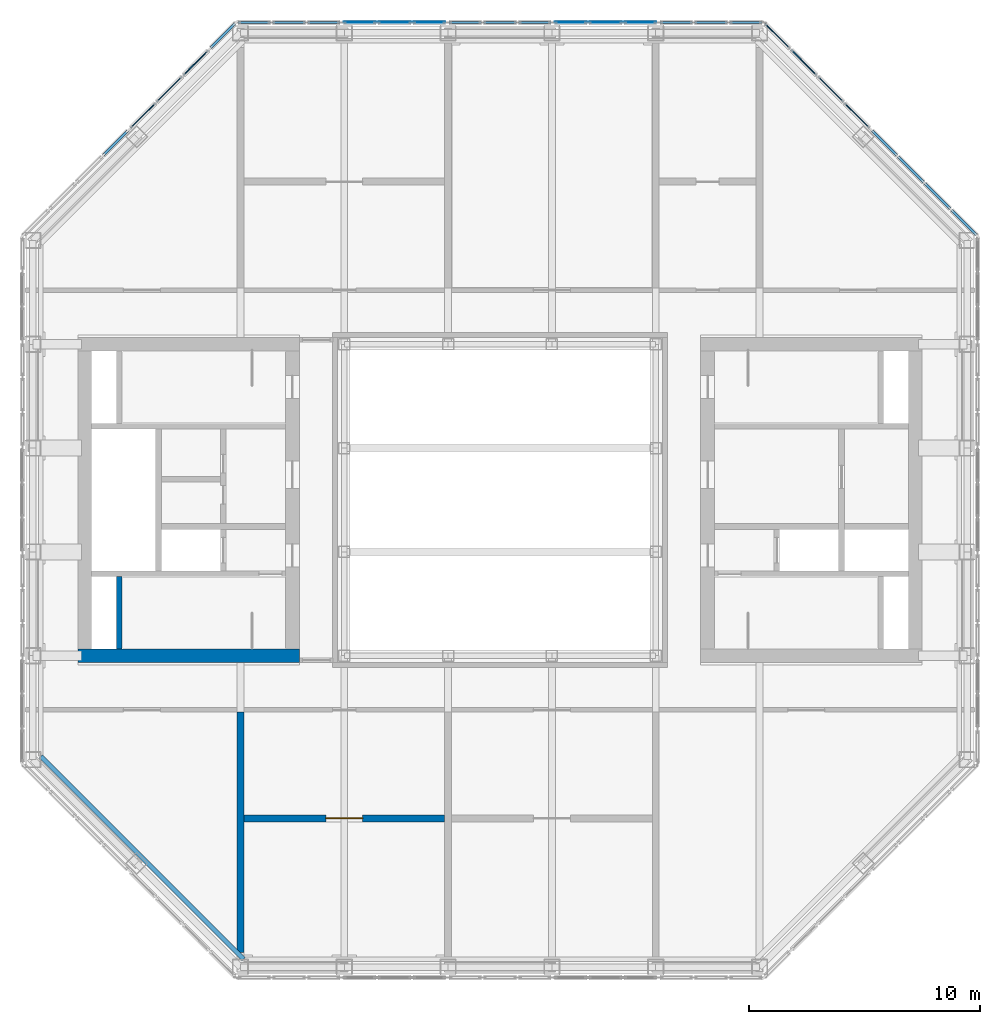
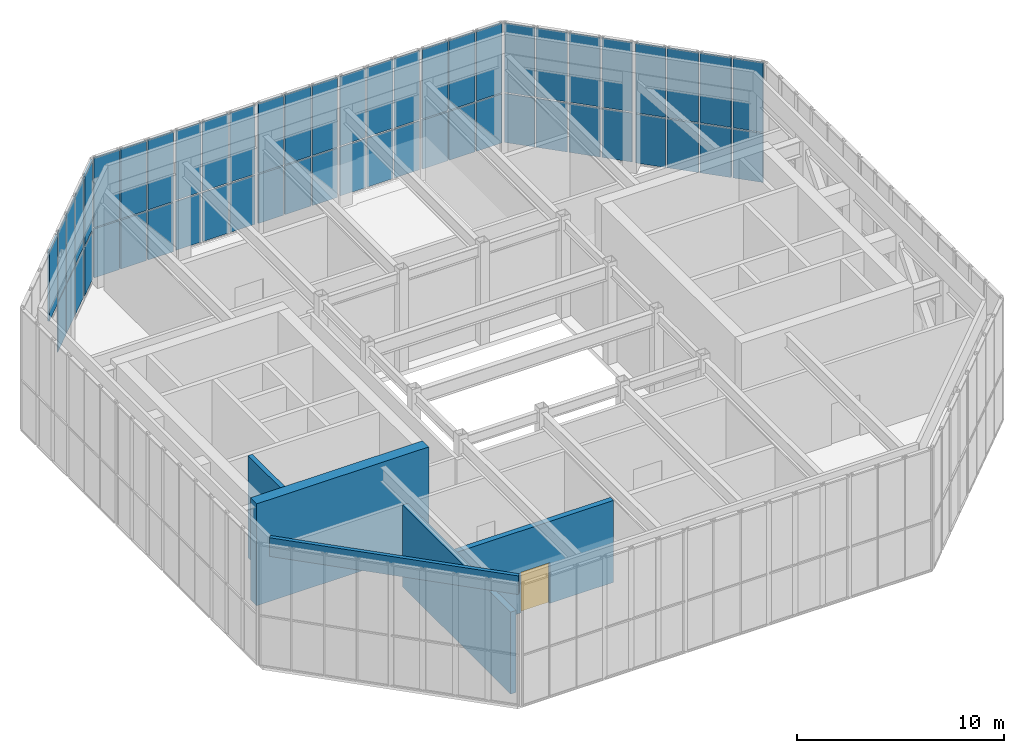
# One storey, part 12 of 15: 55 plates, 5 walls, 1 door, 1 opening, 10 elements without a shape of their own.
"""IFC4 building model written with IfcOpenShell, lengths in metres."""

from ifc_helpers import new_model, si_unit, direction, frame, frame_2d, origin, origin_2d, place, context, subcontext, project, spatial, rectangle, extrude, material, layer, layer_set, type_object, element, fill, aggregate, save


model = new_model("IFC4")

# Units and contexts
model_context = context("Model", 3, precision=1e-05, world=origin(), true_north=direction((0.0, 1.0)))
body_context = subcontext(model_context, "Body", "Model", "MODEL_VIEW")
ifc_project = project(units=[si_unit("LENGTHUNIT", "METRE"), si_unit("AREAUNIT", "SQUARE_METRE"), si_unit("VOLUMEUNIT", "CUBIC_METRE"), si_unit("PLANEANGLEUNIT", "RADIAN"), si_unit("MASSUNIT", "GRAM", prefix="KILO")], contexts=[model_context])

# Site, building, storey
site_placement = place(None, origin())
site = spatial("IfcSite", under=ifc_project, at=site_placement, CompositionType="ELEMENT")
building_placement = place(site_placement, origin())
building = spatial("IfcBuilding", under=site, at=building_placement, Name="Msasa Ring Tower", CompositionType="ELEMENT")
storey_placement = place(building_placement, frame((0.0, 0.0, 268.050048828125)))
storey = spatial("IfcBuildingStorey", under=building, at=storey_placement, Name="L69", CompositionType="ELEMENT", Elevation=268.050048828125)

# Curtain wall, plates
ifc_material_1 = material(Name="Aluminium curtain wall with clear glass", Category="aluminium")
curtain_wall_type_1 = type_object("IfcCurtainWallType", Name="CW-L LANTERN CURTAIN WALL", PredefinedType="NOTDEFINED", material=ifc_material_1)
curtain_wall_1_placement = place(storey_placement, origin())
curtain_wall_1 = element("IfcCurtainWall", 1, at=curtain_wall_1_placement, inside=storey, type_object=curtain_wall_type_1, Name="Lantern curtain wall NE2 L69", PredefinedType="NOTDEFINED")
ifc_material_2 = material(Name="Clear laminated insulating glass unit", Category="glass")
ifc_layer_1 = layer(ifc_material_2, 0.0400390625)
ifc_layer_set_1 = layer_set([ifc_layer_1], Name="CW-L GLASS PANEL 40")
plate_type_1 = type_object("IfcPlateType", Name="CW-L GLASS PANEL 40", PredefinedType="CURTAIN_PANEL", material=ifc_layer_set_1)
plate_1_placement = place(storey_placement, frame((15.47509765625, 16.661376953125, 0.080078125), z_axis=(0.0, 0.0, 1.0), x_axis=(-0.707106781187, 0.707106781187, 0.0)))
plate_1 = element("IfcPlate", 2, at=plate_1_placement, type_object=plate_type_1, Name="CW-L panel 1.1", PredefinedType="CURTAIN_PANEL", context=body_context, shape_type="SweptSolid", body=[
    extrude(rectangle(XDim=1.517578125, YDim=0.0400390625, at=origin_2d()), origin(), (0.0, 0.0, 1.0), 2.8798828125),
])
plate_2_placement = place(storey_placement, frame((15.47509765625, 16.661376953125, 3.039794921875), z_axis=(0.0, 0.0, 1.0), x_axis=(-0.707106781187, 0.707106781187, 0.0)))
plate_2 = element("IfcPlate", 3, at=plate_2_placement, type_object=plate_type_1, Name="CW-L panel 1.2", PredefinedType="CURTAIN_PANEL", context=body_context, shape_type="SweptSolid", body=[
    extrude(rectangle(XDim=1.517578125, YDim=0.0400390625, at=origin_2d()), origin(), (0.0, 0.0, 1.0), 4.080078125),
])
plate_3_placement = place(storey_placement, frame((14.331298828125, 17.80517578125, 0.080078125), z_axis=(0.0, 0.0, 1.0), x_axis=(-0.707106781187, 0.707106781187, 0.0)))
plate_3 = element("IfcPlate", 4, at=plate_3_placement, type_object=plate_type_1, Name="CW-L panel 2.1", PredefinedType="CURTAIN_PANEL", context=body_context, shape_type="SweptSolid", body=[
    extrude(rectangle(XDim=1.5576171875, YDim=0.0400390625, at=origin_2d()), origin(), (0.0, 0.0, 1.0), 2.8798828125),
])
plate_4_placement = place(storey_placement, frame((14.331298828125, 17.80517578125, 3.039794921875), z_axis=(0.0, 0.0, 1.0), x_axis=(-0.707106781187, 0.707106781187, 0.0)))
plate_4 = element("IfcPlate", 5, at=plate_4_placement, type_object=plate_type_1, Name="CW-L panel 2.2", PredefinedType="CURTAIN_PANEL", context=body_context, shape_type="SweptSolid", body=[
    extrude(rectangle(XDim=1.5576171875, YDim=0.0400390625, at=origin_2d()), origin(), (0.0, 0.0, 1.0), 4.080078125),
])
plate_5_placement = place(storey_placement, frame((13.17333984375, 18.963134765625, 0.080078125), z_axis=(0.0, 0.0, 1.0), x_axis=(-0.707106781187, 0.707106781187, 0.0)))
plate_5 = element("IfcPlate", 6, at=plate_5_placement, type_object=plate_type_1, Name="CW-L panel 3.1", PredefinedType="CURTAIN_PANEL", context=body_context, shape_type="SweptSolid", body=[
    extrude(rectangle(XDim=1.5576171875, YDim=0.0400390625, at=origin_2d()), origin(), (0.0, 0.0, 1.0), 2.8798828125),
])
plate_6_placement = place(storey_placement, frame((13.17333984375, 18.963134765625, 3.039794921875), z_axis=(0.0, 0.0, 1.0), x_axis=(-0.707106781187, 0.707106781187, 0.0)))
plate_6 = element("IfcPlate", 7, at=plate_6_placement, type_object=plate_type_1, Name="CW-L panel 3.2", PredefinedType="CURTAIN_PANEL", context=body_context, shape_type="SweptSolid", body=[
    extrude(rectangle(XDim=1.5576171875, YDim=0.0400390625, at=origin_2d()), origin(), (0.0, 0.0, 1.0), 4.080078125),
])
plate_7_placement = place(storey_placement, frame((12.029541015625, 20.10693359375, 0.080078125), z_axis=(0.0, 0.0, 1.0), x_axis=(-0.707106781187, 0.707106781187, 0.0)))
plate_7 = element("IfcPlate", 8, at=plate_7_placement, type_object=plate_type_1, Name="CW-L panel 4.1", PredefinedType="CURTAIN_PANEL", context=body_context, shape_type="SweptSolid", body=[
    extrude(rectangle(XDim=1.517578125, YDim=0.0400390625, at=origin_2d()), origin(), (0.0, 0.0, 1.0), 2.8798828125),
])
plate_8_placement = place(storey_placement, frame((12.029541015625, 20.10693359375, 3.039794921875), z_axis=(0.0, 0.0, 1.0), x_axis=(-0.707106781187, 0.707106781187, 0.0)))
plate_8 = element("IfcPlate", 9, at=plate_8_placement, type_object=plate_type_1, Name="CW-L panel 4.2", PredefinedType="CURTAIN_PANEL", context=body_context, shape_type="SweptSolid", body=[
    extrude(rectangle(XDim=1.517578125, YDim=0.0400390625, at=origin_2d()), origin(), (0.0, 0.0, 1.0), 4.080078125),
])
aggregate(curtain_wall_1, [plate_1, plate_2, plate_3, plate_4, plate_5, plate_6, plate_7, plate_8])

curtain_wall_2_placement = place(storey_placement, origin())
curtain_wall_2 = element("IfcCurtainWall", 10, at=curtain_wall_2_placement, inside=storey, type_object=curtain_wall_type_1, Name="Lantern curtain wall N2 L69", PredefinedType="NOTDEFINED")
plate_9_placement = place(storey_placement, frame((6.079345703125, 20.699951171875, 0.080078125), z_axis=(0.0, 0.0, 1.0), x_axis=(-1.0, 0.0, 0.0)))
plate_9 = element("IfcPlate", 11, at=plate_9_placement, type_object=plate_type_1, Name="CW-L panel 1.1", PredefinedType="CURTAIN_PANEL", context=body_context, shape_type="SweptSolid", body=[
    extrude(rectangle(XDim=1.40478515625, YDim=0.0400390625, at=origin_2d()), origin(), (0.0, 0.0, 1.0), 2.8798828125),
])
plate_10_placement = place(storey_placement, frame((6.079345703125, 20.699951171875, 3.039794921875), z_axis=(0.0, 0.0, 1.0), x_axis=(-1.0, 0.0, 0.0)))
plate_10 = element("IfcPlate", 12, at=plate_10_placement, type_object=plate_type_1, Name="CW-L panel 1.2", PredefinedType="CURTAIN_PANEL", context=body_context, shape_type="SweptSolid", body=[
    extrude(rectangle(XDim=1.40478515625, YDim=0.0400390625, at=origin_2d()), origin(), (0.0, 0.0, 1.0), 4.080078125),
])
plate_11_placement = place(storey_placement, frame((4.574462890625, 20.699951171875, 0.080078125), z_axis=(0.0, 0.0, 1.0), x_axis=(-1.0, 0.0, 0.0)))
plate_11 = element("IfcPlate", 13, at=plate_11_placement, type_object=plate_type_1, Name="CW-L panel 2.1", PredefinedType="CURTAIN_PANEL", context=body_context, shape_type="SweptSolid", body=[
    extrude(rectangle(XDim=1.44482421875, YDim=0.0400390625, at=origin_2d()), origin(), (0.0, 0.0, 1.0), 2.8798828125),
])
plate_12_placement = place(storey_placement, frame((4.574462890625, 20.699951171875, 3.039794921875), z_axis=(0.0, 0.0, 1.0), x_axis=(-1.0, 0.0, 0.0)))
plate_12 = element("IfcPlate", 14, at=plate_12_placement, type_object=plate_type_1, Name="CW-L panel 2.2", PredefinedType="CURTAIN_PANEL", context=body_context, shape_type="SweptSolid", body=[
    extrude(rectangle(XDim=1.44482421875, YDim=0.0400390625, at=origin_2d()), origin(), (0.0, 0.0, 1.0), 4.080078125),
])
plate_13_placement = place(storey_placement, frame((3.06982421875, 20.699951171875, 0.080078125), z_axis=(0.0, 0.0, 1.0), x_axis=(-1.0, 0.0, 0.0)))
plate_13 = element("IfcPlate", 15, at=plate_13_placement, type_object=plate_type_1, Name="CW-L panel 3.1", PredefinedType="CURTAIN_PANEL", context=body_context, shape_type="SweptSolid", body=[
    extrude(rectangle(XDim=1.40478515625, YDim=0.0400390625, at=origin_2d()), origin(), (0.0, 0.0, 1.0), 2.8798828125),
])
plate_14_placement = place(storey_placement, frame((3.06982421875, 20.699951171875, 3.039794921875), z_axis=(0.0, 0.0, 1.0), x_axis=(-1.0, 0.0, 0.0)))
plate_14 = element("IfcPlate", 16, at=plate_14_placement, type_object=plate_type_1, Name="CW-L panel 3.2", PredefinedType="CURTAIN_PANEL", context=body_context, shape_type="SweptSolid", body=[
    extrude(rectangle(XDim=1.40478515625, YDim=0.0400390625, at=origin_2d()), origin(), (0.0, 0.0, 1.0), 4.080078125),
])
aggregate(curtain_wall_2, [plate_9, plate_10, plate_11, plate_12, plate_13, plate_14])

curtain_wall_3_placement = place(storey_placement, origin())
curtain_wall_3 = element("IfcCurtainWall", 17, at=curtain_wall_3_placement, inside=storey, type_object=curtain_wall_type_1, Name="Lantern curtain wall N4 L69", PredefinedType="NOTDEFINED")
plate_15_placement = place(storey_placement, frame((-3.06982421875, 20.699951171875, 0.080078125), z_axis=(0.0, 0.0, 1.0), x_axis=(-1.0, 0.0, 0.0)))
plate_15 = element("IfcPlate", 18, at=plate_15_placement, type_object=plate_type_1, Name="CW-L panel 1.1", PredefinedType="CURTAIN_PANEL", context=body_context, shape_type="SweptSolid", body=[
    extrude(rectangle(XDim=1.40478515625, YDim=0.0400390625, at=origin_2d()), origin(), (0.0, 0.0, 1.0), 2.8798828125),
])
plate_16_placement = place(storey_placement, frame((-3.06982421875, 20.699951171875, 3.039794921875), z_axis=(0.0, 0.0, 1.0), x_axis=(-1.0, 0.0, 0.0)))
plate_16 = element("IfcPlate", 19, at=plate_16_placement, type_object=plate_type_1, Name="CW-L panel 1.2", PredefinedType="CURTAIN_PANEL", context=body_context, shape_type="SweptSolid", body=[
    extrude(rectangle(XDim=1.40478515625, YDim=0.0400390625, at=origin_2d()), origin(), (0.0, 0.0, 1.0), 4.080078125),
])
plate_17_placement = place(storey_placement, frame((-4.574462890625, 20.699951171875, 0.080078125), z_axis=(0.0, 0.0, 1.0), x_axis=(-1.0, 0.0, 0.0)))
plate_17 = element("IfcPlate", 20, at=plate_17_placement, type_object=plate_type_1, Name="CW-L panel 2.1", PredefinedType="CURTAIN_PANEL", context=body_context, shape_type="SweptSolid", body=[
    extrude(rectangle(XDim=1.44482421875, YDim=0.0400390625, at=origin_2d()), origin(), (0.0, 0.0, 1.0), 2.8798828125),
])
plate_18_placement = place(storey_placement, frame((-4.574462890625, 20.699951171875, 3.039794921875), z_axis=(0.0, 0.0, 1.0), x_axis=(-1.0, 0.0, 0.0)))
plate_18 = element("IfcPlate", 21, at=plate_18_placement, type_object=plate_type_1, Name="CW-L panel 2.2", PredefinedType="CURTAIN_PANEL", context=body_context, shape_type="SweptSolid", body=[
    extrude(rectangle(XDim=1.44482421875, YDim=0.0400390625, at=origin_2d()), origin(), (0.0, 0.0, 1.0), 4.080078125),
])
plate_19_placement = place(storey_placement, frame((-6.079345703125, 20.699951171875, 0.080078125), z_axis=(0.0, 0.0, 1.0), x_axis=(-1.0, 0.0, 0.0)))
plate_19 = element("IfcPlate", 22, at=plate_19_placement, type_object=plate_type_1, Name="CW-L panel 3.1", PredefinedType="CURTAIN_PANEL", context=body_context, shape_type="SweptSolid", body=[
    extrude(rectangle(XDim=1.40478515625, YDim=0.0400390625, at=origin_2d()), origin(), (0.0, 0.0, 1.0), 2.8798828125),
])
plate_20_placement = place(storey_placement, frame((-6.079345703125, 20.699951171875, 3.039794921875), z_axis=(0.0, 0.0, 1.0), x_axis=(-1.0, 0.0, 0.0)))
plate_20 = element("IfcPlate", 23, at=plate_20_placement, type_object=plate_type_1, Name="CW-L panel 3.2", PredefinedType="CURTAIN_PANEL", context=body_context, shape_type="SweptSolid", body=[
    extrude(rectangle(XDim=1.40478515625, YDim=0.0400390625, at=origin_2d()), origin(), (0.0, 0.0, 1.0), 4.080078125),
])
aggregate(curtain_wall_3, [plate_15, plate_16, plate_17, plate_18, plate_19, plate_20])

curtain_wall_4_placement = place(storey_placement, origin())
curtain_wall_4 = element("IfcCurtainWall", 24, at=curtain_wall_4_placement, inside=storey, type_object=curtain_wall_type_1, Name="Lantern curtain wall NW2 L69", PredefinedType="NOTDEFINED")
plate_21_placement = place(storey_placement, frame((-13.1875, 18.948974609375, 0.080078125), z_axis=(0.0, 0.0, 1.0), x_axis=(-0.707116958684, -0.707096603542, 0.0)))
plate_21 = element("IfcPlate", 25, at=plate_21_placement, type_object=plate_type_1, Name="CW-L panel 1.1", PredefinedType="CURTAIN_PANEL", context=body_context, shape_type="SweptSolid", body=[
    extrude(rectangle(XDim=1.517578125, YDim=0.0400390625, at=origin_2d()), origin(), (0.0, 0.0, 1.0), 2.8798828125),
])
plate_22_placement = place(storey_placement, frame((-13.1875, 18.948974609375, 3.039794921875), z_axis=(0.0, 0.0, 1.0), x_axis=(-0.707116958684, -0.707096603542, 0.0)))
plate_22 = element("IfcPlate", 26, at=plate_22_placement, type_object=plate_type_1, Name="CW-L panel 1.2", PredefinedType="CURTAIN_PANEL", context=body_context, shape_type="SweptSolid", body=[
    extrude(rectangle(XDim=1.517578125, YDim=0.0400390625, at=origin_2d()), origin(), (0.0, 0.0, 1.0), 4.080078125),
])
plate_23_placement = place(storey_placement, frame((-14.331298828125, 17.80517578125, 0.080078125), z_axis=(0.0, 0.0, 1.0), x_axis=(-0.707116958684, -0.707096603542, 0.0)))
plate_23 = element("IfcPlate", 27, at=plate_23_placement, type_object=plate_type_1, Name="CW-L panel 2.1", PredefinedType="CURTAIN_PANEL", context=body_context, shape_type="SweptSolid", body=[
    extrude(rectangle(XDim=1.5576171875, YDim=0.0400390625, at=origin_2d()), origin(), (0.0, 0.0, 1.0), 2.8798828125),
])
plate_24_placement = place(storey_placement, frame((-14.331298828125, 17.80517578125, 3.039794921875), z_axis=(0.0, 0.0, 1.0), x_axis=(-0.707116958684, -0.707096603542, 0.0)))
plate_24 = element("IfcPlate", 28, at=plate_24_placement, type_object=plate_type_1, Name="CW-L panel 2.2", PredefinedType="CURTAIN_PANEL", context=body_context, shape_type="SweptSolid", body=[
    extrude(rectangle(XDim=1.5576171875, YDim=0.0400390625, at=origin_2d()), origin(), (0.0, 0.0, 1.0), 4.080078125),
])
plate_25_placement = place(storey_placement, frame((-15.47509765625, 16.661376953125, 0.080078125), z_axis=(0.0, 0.0, 1.0), x_axis=(-0.707116958684, -0.707096603542, 0.0)))
plate_25 = element("IfcPlate", 29, at=plate_25_placement, type_object=plate_type_1, Name="CW-L panel 3.1", PredefinedType="CURTAIN_PANEL", context=body_context, shape_type="SweptSolid", body=[
    extrude(rectangle(XDim=1.517578125, YDim=0.0400390625, at=origin_2d()), origin(), (0.0, 0.0, 1.0), 2.8798828125),
])
plate_26_placement = place(storey_placement, frame((-15.47509765625, 16.661376953125, 3.039794921875), z_axis=(0.0, 0.0, 1.0), x_axis=(-0.707116958684, -0.707096603542, 0.0)))
plate_26 = element("IfcPlate", 30, at=plate_26_placement, type_object=plate_type_1, Name="CW-L panel 3.2", PredefinedType="CURTAIN_PANEL", context=body_context, shape_type="SweptSolid", body=[
    extrude(rectangle(XDim=1.517578125, YDim=0.0400390625, at=origin_2d()), origin(), (0.0, 0.0, 1.0), 4.080078125),
])
aggregate(curtain_wall_4, [plate_21, plate_22, plate_23, plate_24, plate_25, plate_26])

ifc_material_3 = material(Name="Aluminium curtain wall with insulated terracotta-faced panels", Category="masonry")
curtain_wall_type_2 = type_object("IfcCurtainWallType", Name="CW-O OPAQUE LANTERN CURTAIN WALL", PredefinedType="NOTDEFINED", material=ifc_material_3)
curtain_wall_5_placement = place(storey_placement, origin())
curtain_wall_5 = element("IfcCurtainWall", 31, at=curtain_wall_5_placement, inside=storey, type_object=curtain_wall_type_2, Name="Lantern opaque curtain wall NE1 L69", PredefinedType="NOTDEFINED")
ifc_material_4 = material(Name="Terracotta-faced insulated panel", Category="masonry")
ifc_layer_2 = layer(ifc_material_4, 0.10009765625)
ifc_layer_set_2 = layer_set([ifc_layer_2], Name="CW-O INSULATED PANEL 100")
plate_type_2 = type_object("IfcPlateType", Name="CW-O INSULATED PANEL 100", PredefinedType="CURTAIN_PANEL", material=ifc_layer_set_2)
plate_27_placement = place(storey_placement, frame((20.10693359375, 12.029541015625, 0.080078125), z_axis=(0.0, 0.0, 1.0), x_axis=(-0.707106781187, 0.707106781187, 0.0)))
plate_27 = element("IfcPlate", 32, at=plate_27_placement, type_object=plate_type_2, Name="CW-O panel 1.1", PredefinedType="CURTAIN_PANEL", context=body_context, shape_type="SweptSolid", body=[
    extrude(rectangle(XDim=1.517578125, YDim=0.10009765625, at=origin_2d()), origin(), (0.0, 0.0, 1.0), 2.8798828125),
])
plate_28_placement = place(storey_placement, frame((20.10693359375, 12.029541015625, 3.039794921875), z_axis=(0.0, 0.0, 1.0), x_axis=(-0.707106781187, 0.707106781187, 0.0)))
plate_28 = element("IfcPlate", 33, at=plate_28_placement, type_object=plate_type_2, Name="CW-O panel 1.2", PredefinedType="CURTAIN_PANEL", context=body_context, shape_type="SweptSolid", body=[
    extrude(rectangle(XDim=1.517578125, YDim=0.10009765625, at=origin_2d()), origin(), (0.0, 0.0, 1.0), 4.080078125),
])
plate_29_placement = place(storey_placement, frame((18.963134765625, 13.17333984375, 0.080078125), z_axis=(0.0, 0.0, 1.0), x_axis=(-0.707106781187, 0.707106781187, 0.0)))
plate_29 = element("IfcPlate", 34, at=plate_29_placement, type_object=plate_type_2, Name="CW-O panel 2.1", PredefinedType="CURTAIN_PANEL", context=body_context, shape_type="SweptSolid", body=[
    extrude(rectangle(XDim=1.5576171875, YDim=0.10009765625, at=origin_2d()), origin(), (0.0, 0.0, 1.0), 2.8798828125),
])
plate_30_placement = place(storey_placement, frame((18.963134765625, 13.17333984375, 3.039794921875), z_axis=(0.0, 0.0, 1.0), x_axis=(-0.707106781187, 0.707106781187, 0.0)))
plate_30 = element("IfcPlate", 35, at=plate_30_placement, type_object=plate_type_2, Name="CW-O panel 2.2", PredefinedType="CURTAIN_PANEL", context=body_context, shape_type="SweptSolid", body=[
    extrude(rectangle(XDim=1.5576171875, YDim=0.10009765625, at=origin_2d()), origin(), (0.0, 0.0, 1.0), 4.080078125),
])
plate_31_placement = place(storey_placement, frame((17.80517578125, 14.331298828125, 0.080078125), z_axis=(0.0, 0.0, 1.0), x_axis=(-0.707106781187, 0.707106781187, 0.0)))
plate_31 = element("IfcPlate", 36, at=plate_31_placement, type_object=plate_type_2, Name="CW-O panel 3.1", PredefinedType="CURTAIN_PANEL", context=body_context, shape_type="SweptSolid", body=[
    extrude(rectangle(XDim=1.5576171875, YDim=0.10009765625, at=origin_2d()), origin(), (0.0, 0.0, 1.0), 2.8798828125),
])
plate_32_placement = place(storey_placement, frame((17.80517578125, 14.331298828125, 3.039794921875), z_axis=(0.0, 0.0, 1.0), x_axis=(-0.707106781187, 0.707106781187, 0.0)))
plate_32 = element("IfcPlate", 37, at=plate_32_placement, type_object=plate_type_2, Name="CW-O panel 3.2", PredefinedType="CURTAIN_PANEL", context=body_context, shape_type="SweptSolid", body=[
    extrude(rectangle(XDim=1.5576171875, YDim=0.10009765625, at=origin_2d()), origin(), (0.0, 0.0, 1.0), 4.080078125),
])
plate_33_placement = place(storey_placement, frame((16.661376953125, 15.47509765625, 0.080078125), z_axis=(0.0, 0.0, 1.0), x_axis=(-0.707106781187, 0.707106781187, 0.0)))
plate_33 = element("IfcPlate", 38, at=plate_33_placement, type_object=plate_type_2, Name="CW-O panel 4.1", PredefinedType="CURTAIN_PANEL", context=body_context, shape_type="SweptSolid", body=[
    extrude(rectangle(XDim=1.517578125, YDim=0.10009765625, at=origin_2d()), origin(), (0.0, 0.0, 1.0), 2.8798828125),
])
plate_34_placement = place(storey_placement, frame((16.661376953125, 15.47509765625, 3.039794921875), z_axis=(0.0, 0.0, 1.0), x_axis=(-0.707106781187, 0.707106781187, 0.0)))
plate_34 = element("IfcPlate", 39, at=plate_34_placement, type_object=plate_type_2, Name="CW-O panel 4.2", PredefinedType="CURTAIN_PANEL", context=body_context, shape_type="SweptSolid", body=[
    extrude(rectangle(XDim=1.517578125, YDim=0.10009765625, at=origin_2d()), origin(), (0.0, 0.0, 1.0), 4.080078125),
])
aggregate(curtain_wall_5, [plate_27, plate_28, plate_29, plate_30, plate_31, plate_32, plate_33, plate_34])

curtain_wall_6_placement = place(storey_placement, origin())
curtain_wall_6 = element("IfcCurtainWall", 40, at=curtain_wall_6_placement, inside=storey, type_object=curtain_wall_type_2, Name="Lantern opaque curtain wall N1 L69", PredefinedType="NOTDEFINED")
plate_35_placement = place(storey_placement, frame((10.654052734375, 20.699951171875, 0.080078125), z_axis=(0.0, 0.0, 1.0), x_axis=(-1.0, 0.0, 0.0)))
plate_35 = element("IfcPlate", 41, at=plate_35_placement, type_object=plate_type_2, Name="CW-O panel 1.1", PredefinedType="CURTAIN_PANEL", context=body_context, shape_type="SweptSolid", body=[
    extrude(rectangle(XDim=1.40478515625, YDim=0.10009765625, at=origin_2d()), origin(), (0.0, 0.0, 1.0), 2.8798828125),
])
plate_36_placement = place(storey_placement, frame((10.654052734375, 20.699951171875, 3.039794921875), z_axis=(0.0, 0.0, 1.0), x_axis=(-1.0, 0.0, 0.0)))
plate_36 = element("IfcPlate", 42, at=plate_36_placement, type_object=plate_type_2, Name="CW-O panel 1.2", PredefinedType="CURTAIN_PANEL", context=body_context, shape_type="SweptSolid", body=[
    extrude(rectangle(XDim=1.40478515625, YDim=0.10009765625, at=origin_2d()), origin(), (0.0, 0.0, 1.0), 4.080078125),
])
plate_37_placement = place(storey_placement, frame((9.149169921875, 20.699951171875, 0.080078125), z_axis=(0.0, 0.0, 1.0), x_axis=(-1.0, 0.0, 0.0)))
plate_37 = element("IfcPlate", 43, at=plate_37_placement, type_object=plate_type_2, Name="CW-O panel 2.1", PredefinedType="CURTAIN_PANEL", context=body_context, shape_type="SweptSolid", body=[
    extrude(rectangle(XDim=1.44482421875, YDim=0.10009765625, at=origin_2d()), origin(), (0.0, 0.0, 1.0), 2.8798828125),
])
plate_38_placement = place(storey_placement, frame((9.149169921875, 20.699951171875, 3.039794921875), z_axis=(0.0, 0.0, 1.0), x_axis=(-1.0, 0.0, 0.0)))
plate_38 = element("IfcPlate", 44, at=plate_38_placement, type_object=plate_type_2, Name="CW-O panel 2.2", PredefinedType="CURTAIN_PANEL", context=body_context, shape_type="SweptSolid", body=[
    extrude(rectangle(XDim=1.44482421875, YDim=0.10009765625, at=origin_2d()), origin(), (0.0, 0.0, 1.0), 4.080078125),
])
plate_39_placement = place(storey_placement, frame((7.644287109375, 20.699951171875, 0.080078125), z_axis=(0.0, 0.0, 1.0), x_axis=(-1.0, 0.0, 0.0)))
plate_39 = element("IfcPlate", 45, at=plate_39_placement, type_object=plate_type_2, Name="CW-O panel 3.1", PredefinedType="CURTAIN_PANEL", context=body_context, shape_type="SweptSolid", body=[
    extrude(rectangle(XDim=1.40478515625, YDim=0.10009765625, at=origin_2d()), origin(), (0.0, 0.0, 1.0), 2.8798828125),
])
plate_40_placement = place(storey_placement, frame((7.644287109375, 20.699951171875, 3.039794921875), z_axis=(0.0, 0.0, 1.0), x_axis=(-1.0, 0.0, 0.0)))
plate_40 = element("IfcPlate", 46, at=plate_40_placement, type_object=plate_type_2, Name="CW-O panel 3.2", PredefinedType="CURTAIN_PANEL", context=body_context, shape_type="SweptSolid", body=[
    extrude(rectangle(XDim=1.40478515625, YDim=0.10009765625, at=origin_2d()), origin(), (0.0, 0.0, 1.0), 4.080078125),
])
aggregate(curtain_wall_6, [plate_35, plate_36, plate_37, plate_38, plate_39, plate_40])

curtain_wall_7_placement = place(storey_placement, origin())
curtain_wall_7 = element("IfcCurtainWall", 47, at=curtain_wall_7_placement, inside=storey, type_object=curtain_wall_type_2, Name="Lantern opaque curtain wall N3 L69", PredefinedType="NOTDEFINED")
plate_41_placement = place(storey_placement, frame((1.5048828125, 20.699951171875, 0.080078125), z_axis=(0.0, 0.0, 1.0), x_axis=(-1.0, 0.0, 0.0)))
plate_41 = element("IfcPlate", 48, at=plate_41_placement, type_object=plate_type_2, Name="CW-O panel 1.1", PredefinedType="CURTAIN_PANEL", context=body_context, shape_type="SweptSolid", body=[
    extrude(rectangle(XDim=1.40478515625, YDim=0.10009765625, at=origin_2d()), origin(), (0.0, 0.0, 1.0), 2.8798828125),
])
plate_42_placement = place(storey_placement, frame((1.5048828125, 20.699951171875, 3.039794921875), z_axis=(0.0, 0.0, 1.0), x_axis=(-1.0, 0.0, 0.0)))
plate_42 = element("IfcPlate", 49, at=plate_42_placement, type_object=plate_type_2, Name="CW-O panel 1.2", PredefinedType="CURTAIN_PANEL", context=body_context, shape_type="SweptSolid", body=[
    extrude(rectangle(XDim=1.40478515625, YDim=0.10009765625, at=origin_2d()), origin(), (0.0, 0.0, 1.0), 4.080078125),
])
plate_43_placement = place(storey_placement, frame((0.0, 20.699951171875, 0.080078125), z_axis=(0.0, 0.0, 1.0), x_axis=(-1.0, 0.0, 0.0)))
plate_43 = element("IfcPlate", 50, at=plate_43_placement, type_object=plate_type_2, Name="CW-O panel 2.1", PredefinedType="CURTAIN_PANEL", context=body_context, shape_type="SweptSolid", body=[
    extrude(rectangle(XDim=1.44482421875, YDim=0.10009765625, at=origin_2d()), origin(), (0.0, 0.0, 1.0), 2.8798828125),
])
plate_44_placement = place(storey_placement, frame((0.0, 20.699951171875, 3.039794921875), z_axis=(0.0, 0.0, 1.0), x_axis=(-1.0, 0.0, 0.0)))
plate_44 = element("IfcPlate", 51, at=plate_44_placement, type_object=plate_type_2, Name="CW-O panel 2.2", PredefinedType="CURTAIN_PANEL", context=body_context, shape_type="SweptSolid", body=[
    extrude(rectangle(XDim=1.44482421875, YDim=0.10009765625, at=origin_2d()), origin(), (0.0, 0.0, 1.0), 4.080078125),
])
plate_45_placement = place(storey_placement, frame((-1.5048828125, 20.699951171875, 0.080078125), z_axis=(0.0, 0.0, 1.0), x_axis=(-1.0, 0.0, 0.0)))
plate_45 = element("IfcPlate", 52, at=plate_45_placement, type_object=plate_type_2, Name="CW-O panel 3.1", PredefinedType="CURTAIN_PANEL", context=body_context, shape_type="SweptSolid", body=[
    extrude(rectangle(XDim=1.40478515625, YDim=0.10009765625, at=origin_2d()), origin(), (0.0, 0.0, 1.0), 2.8798828125),
])
plate_46_placement = place(storey_placement, frame((-1.5048828125, 20.699951171875, 3.039794921875), z_axis=(0.0, 0.0, 1.0), x_axis=(-1.0, 0.0, 0.0)))
plate_46 = element("IfcPlate", 53, at=plate_46_placement, type_object=plate_type_2, Name="CW-O panel 3.2", PredefinedType="CURTAIN_PANEL", context=body_context, shape_type="SweptSolid", body=[
    extrude(rectangle(XDim=1.40478515625, YDim=0.10009765625, at=origin_2d()), origin(), (0.0, 0.0, 1.0), 4.080078125),
])
aggregate(curtain_wall_7, [plate_41, plate_42, plate_43, plate_44, plate_45, plate_46])

curtain_wall_8_placement = place(storey_placement, origin())
curtain_wall_8 = element("IfcCurtainWall", 54, at=curtain_wall_8_placement, inside=storey, type_object=curtain_wall_type_2, Name="Lantern opaque curtain wall N5 L69", PredefinedType="NOTDEFINED")
plate_47_placement = place(storey_placement, frame((-7.644287109375, 20.699951171875, 0.080078125), z_axis=(0.0, 0.0, 1.0), x_axis=(-1.0, 0.0, 0.0)))
plate_47 = element("IfcPlate", 55, at=plate_47_placement, type_object=plate_type_2, Name="CW-O panel 1.1", PredefinedType="CURTAIN_PANEL", context=body_context, shape_type="SweptSolid", body=[
    extrude(rectangle(XDim=1.40478515625, YDim=0.10009765625, at=origin_2d()), origin(), (0.0, 0.0, 1.0), 2.8798828125),
])
plate_48_placement = place(storey_placement, frame((-7.644287109375, 20.699951171875, 3.039794921875), z_axis=(0.0, 0.0, 1.0), x_axis=(-1.0, 0.0, 0.0)))
plate_48 = element("IfcPlate", 56, at=plate_48_placement, type_object=plate_type_2, Name="CW-O panel 1.2", PredefinedType="CURTAIN_PANEL", context=body_context, shape_type="SweptSolid", body=[
    extrude(rectangle(XDim=1.40478515625, YDim=0.10009765625, at=origin_2d()), origin(), (0.0, 0.0, 1.0), 4.080078125),
])
plate_49_placement = place(storey_placement, frame((-9.149169921875, 20.699951171875, 0.080078125), z_axis=(0.0, 0.0, 1.0), x_axis=(-1.0, 0.0, 0.0)))
plate_49 = element("IfcPlate", 57, at=plate_49_placement, type_object=plate_type_2, Name="CW-O panel 2.1", PredefinedType="CURTAIN_PANEL", context=body_context, shape_type="SweptSolid", body=[
    extrude(rectangle(XDim=1.44482421875, YDim=0.10009765625, at=origin_2d()), origin(), (0.0, 0.0, 1.0), 2.8798828125),
])
plate_50_placement = place(storey_placement, frame((-9.149169921875, 20.699951171875, 3.039794921875), z_axis=(0.0, 0.0, 1.0), x_axis=(-1.0, 0.0, 0.0)))
plate_50 = element("IfcPlate", 58, at=plate_50_placement, type_object=plate_type_2, Name="CW-O panel 2.2", PredefinedType="CURTAIN_PANEL", context=body_context, shape_type="SweptSolid", body=[
    extrude(rectangle(XDim=1.44482421875, YDim=0.10009765625, at=origin_2d()), origin(), (0.0, 0.0, 1.0), 4.080078125),
])
plate_51_placement = place(storey_placement, frame((-10.654052734375, 20.699951171875, 0.080078125), z_axis=(0.0, 0.0, 1.0), x_axis=(-1.0, 0.0, 0.0)))
plate_51 = element("IfcPlate", 59, at=plate_51_placement, type_object=plate_type_2, Name="CW-O panel 3.1", PredefinedType="CURTAIN_PANEL", context=body_context, shape_type="SweptSolid", body=[
    extrude(rectangle(XDim=1.40478515625, YDim=0.10009765625, at=origin_2d()), origin(), (0.0, 0.0, 1.0), 2.8798828125),
])
plate_52_placement = place(storey_placement, frame((-10.654052734375, 20.699951171875, 3.039794921875), z_axis=(0.0, 0.0, 1.0), x_axis=(-1.0, 0.0, 0.0)))
plate_52 = element("IfcPlate", 60, at=plate_52_placement, type_object=plate_type_2, Name="CW-O panel 3.2", PredefinedType="CURTAIN_PANEL", context=body_context, shape_type="SweptSolid", body=[
    extrude(rectangle(XDim=1.40478515625, YDim=0.10009765625, at=origin_2d()), origin(), (0.0, 0.0, 1.0), 4.080078125),
])
aggregate(curtain_wall_8, [plate_47, plate_48, plate_49, plate_50, plate_51, plate_52])

curtain_wall_9_placement = place(storey_placement, origin())
curtain_wall_9 = element("IfcCurtainWall", 61, at=curtain_wall_9_placement, inside=storey, type_object=curtain_wall_type_2, Name="Lantern opaque curtain wall NW1 L69", PredefinedType="NOTDEFINED")
plate_53_placement = place(storey_placement, frame((-12.015380859375, 20.12109375, 0.080078125), z_axis=(0.0, 0.0, 1.0), x_axis=(-0.707076247826, -0.707137313228, 0.0)))
plate_53 = element("IfcPlate", 62, at=plate_53_placement, type_object=plate_type_2, Name="CW-O panel 1.1", PredefinedType="CURTAIN_PANEL", context=body_context, shape_type="SweptSolid", body=[
    extrude(rectangle(XDim=1.4775390625, YDim=0.10009765625, at=origin_2d()), origin(), (0.0, 0.0, 1.0), 2.8798828125),
])
plate_54_placement = place(storey_placement, frame((-12.015380859375, 20.12109375, 3.039794921875), z_axis=(0.0, 0.0, 1.0), x_axis=(-0.707076247826, -0.707137313228, 0.0)))
plate_54 = element("IfcPlate", 63, at=plate_54_placement, type_object=plate_type_2, Name="CW-O panel 1.2", PredefinedType="CURTAIN_PANEL", context=body_context, shape_type="SweptSolid", body=[
    extrude(rectangle(XDim=1.4775390625, YDim=0.10009765625, at=origin_2d()), origin(), (0.0, 0.0, 1.0), 4.080078125),
])
aggregate(curtain_wall_9, [plate_53, plate_54])

# Curtain wall, plate
curtain_wall_10_placement = place(storey_placement, origin())
curtain_wall_10 = element("IfcCurtainWall", 64, at=curtain_wall_10_placement, inside=storey, type_object=curtain_wall_type_2, Name="Lantern opaque curtain wall NW3 L69", PredefinedType="NOTDEFINED")
plate_55_placement = place(storey_placement, frame((-16.661376953125, 15.47509765625, 3.039794921875), z_axis=(0.0, 0.0, 1.0), x_axis=(-0.707106781187, -0.707106781187, 0.0)))
plate_55 = element("IfcPlate", 65, at=plate_55_placement, type_object=plate_type_2, Name="CW-O panel 1.2", PredefinedType="CURTAIN_PANEL", context=body_context, shape_type="SweptSolid", body=[
    extrude(rectangle(XDim=1.517578125, YDim=0.10009765625, at=origin_2d()), origin(), (0.0, 0.0, 1.0), 4.080078125),
])
aggregate(curtain_wall_10, [plate_55])

# Walls
ifc_material_5 = material(Name="Concrete C60/75", Category="concrete")
ifc_layer_3 = layer(ifc_material_5, 0.60009765625)
ifc_layer_set_3 = layer_set([ifc_layer_3], Name="CW3 CORE WALL 600")
wall_type_1 = type_object("IfcWallType", Name="CW3 CORE WALL 600", PredefinedType="SHEAR", material=ifc_layer_set_3)
wall_1_placement = place(storey_placement, frame((-8.699951171875, -6.75, 0.0), z_axis=(0.0, 0.0, 1.0), x_axis=(-1.0, 0.0, 0.0)))
element("IfcWall", 66, at=wall_1_placement, inside=storey, type_object=wall_type_1, Name="W core wall S L69", PredefinedType="SHEAR", context=body_context, shape_type="SweptSolid", body=[
    extrude(rectangle(XDim=9.60009765625, YDim=0.60009765625, at=frame_2d((4.800048828125, 0.0))), origin(), (0.0, 0.0, 1.0), 6.0),
])
ifc_material_6 = material(Name="Concrete C60/75", Category="concrete")
ifc_layer_4 = layer(ifc_material_6, 0.25)
ifc_layer_set_4 = layer_set([ifc_layer_4], Name="CW4 CORE INNER WALL 250")
wall_type_2 = type_object("IfcWallType", Name="CW4 CORE INNER WALL 250", PredefinedType="SHEAR", material=ifc_layer_set_4)
wall_2_placement = place(storey_placement, frame((-16.5, -6.449951171875, 0.0), z_axis=(0.0, 0.0, 1.0), x_axis=(0.0, 1.0, 0.0)))
element("IfcWall", 67, at=wall_2_placement, inside=storey, type_object=wall_type_2, Name="W core wall RISERA L69", PredefinedType="SHEAR", context=body_context, shape_type="SweptSolid", body=[
    extrude(rectangle(XDim=3.125, YDim=0.25, at=frame_2d((1.5625, 0.0))), origin(), (0.0, 0.0, 1.0), 6.0),
])
ifc_material_7 = material(Name="Dense concrete blockwork, fair faced", Category="masonry")
ifc_layer_5 = layer(ifc_material_7, 0.300048828125)
ifc_layer_set_5 = layer_set([ifc_layer_5], Name="PT7 PLANT ROOM WALL 300")
wall_type_3 = type_object("IfcWallType", Name="PT7 PLANT ROOM WALL 300", PredefinedType="PARTITIONING", material=ifc_layer_set_5)
wall_3_placement = place(storey_placement, frame((-11.25, -19.613525390625, 0.0), z_axis=(0.0, 0.0, 1.0), x_axis=(0.0, 1.0, 0.0)))
element("IfcWall", 68, at=wall_3_placement, inside=storey, type_object=wall_type_3, Name="Partition L69-LPSW1", PredefinedType="PARTITIONING", context=body_context, shape_type="SweptSolid", body=[
    extrude(rectangle(XDim=10.41357421875, YDim=0.300048828125, at=frame_2d((5.206787109375, 0.0))), origin(), (0.0, 0.0, 1.0), 4.828857421875),
])

# Wall, opening, door
wall_4_placement = place(storey_placement, frame((-11.10009765625, -13.800048828125, 0.0), z_axis=(0.0, 0.0, 1.0), x_axis=(1.0, 0.0, 0.0)))
wall_4 = element("IfcWall", 69, at=wall_4_placement, inside=storey, type_object=wall_type_3, Name="Partition L69-LPSS1", PredefinedType="PARTITIONING", context=body_context, shape_type="SweptSolid", body=[
    extrude(rectangle(XDim=8.7001953125, YDim=0.300048828125, at=frame_2d((4.35009765625, 0.0))), origin(), (0.0, 0.0, 1.0), 4.828857421875),
])
opening_placement = place(wall_4_placement, frame((3.550048828125, 0.0, 0.0)))
opening = element("IfcOpeningElement", 70, at=opening_placement, cuts=wall_4, Name="Opening L69-025", PredefinedType="OPENING", context=body_context, shape_type="SweptSolid", body=[
    extrude(rectangle(XDim=1.60009765625, YDim=2.39990234375, at=frame_2d((0.800048828125, 1.199951171875))), frame((0.0, 0.159912109375, 0.0), z_axis=(0.0, -1.0, 0.0), x_axis=(1.0, 0.0, 0.0)), (0.0, 0.0, 1.0), 0.320068359375),
])
ifc_material_8 = material(Name="Timber door leaf in a steel frame", Category="steel")
door_type = type_object("IfcDoorType", Name="D20 PLANT ROOM PAIR OF DOORS 1600x2400", OperationType="SINGLE_SWING_LEFT", PredefinedType="DOOR", material=ifc_material_8)
door_placement = place(opening_placement, origin())
door = element("IfcDoor", 71, at=door_placement, inside=storey, type_object=door_type, Name="Door L69-LPS1B", OperationType="SINGLE_SWING_LEFT", OverallHeight=2.39990234375, OverallWidth=1.60009765625, PredefinedType="DOOR", context=body_context, shape_type="SweptSolid", body=[
    extrude(rectangle(XDim=1.60009765625, YDim=2.39990234375, at=frame_2d((0.800048828125, 1.199951171875))), frame((0.0, 0.02490234375, 0.0), z_axis=(0.0, -1.0, 0.0), x_axis=(1.0, 0.0, 0.0)), (0.0, 0.0, 1.0), 0.050048828125),
])
fill(opening, door)

# Wall
ifc_material_9 = material(Name="Terracotta rainscreen on blockwork", Category="masonry")
ifc_layer_6 = layer(ifc_material_9, 0.199951171875)
ifc_layer_set_6 = layer_set([ifc_layer_6], Name="PW1 ROOF PARAPET 200")
wall_type_4 = type_object("IfcWallType", Name="PW1 ROOF PARAPET 200", PredefinedType="PARAPET", material=ifc_layer_set_6)
wall_5_placement = place(storey_placement, frame((-19.89990234375, -11.10498046875, 6.0), z_axis=(0.0, 0.0, 1.0), x_axis=(0.707106781187, -0.707106781187, 0.0)))
element("IfcWall", 72, at=wall_5_placement, inside=storey, type_object=wall_type_4, Name="Roof parapet SW", PredefinedType="PARAPET", context=body_context, shape_type="SweptSolid", body=[
    extrude(rectangle(XDim=12.43798828125, YDim=0.199951171875, at=frame_2d((6.218994140625, 0.0))), origin(), (0.0, 0.0, 1.0), 1.099853515625),
])

save(model, "model.ifc")
